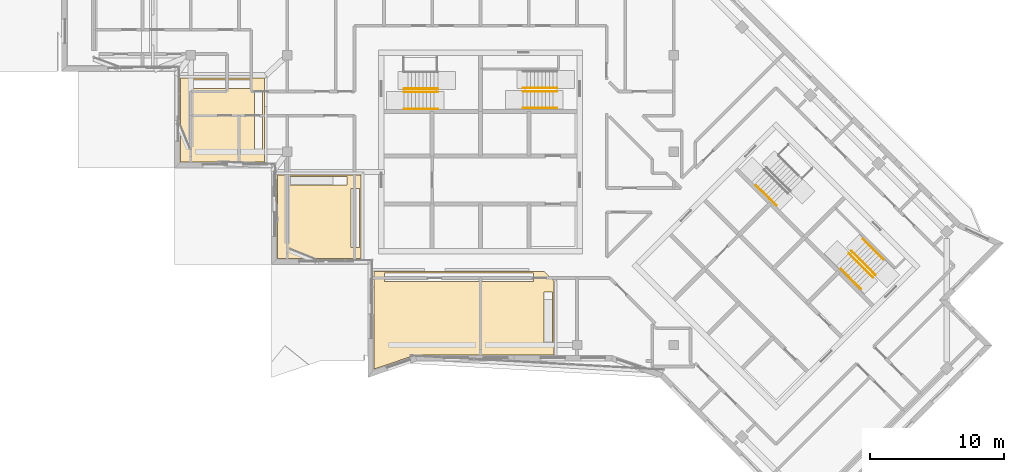
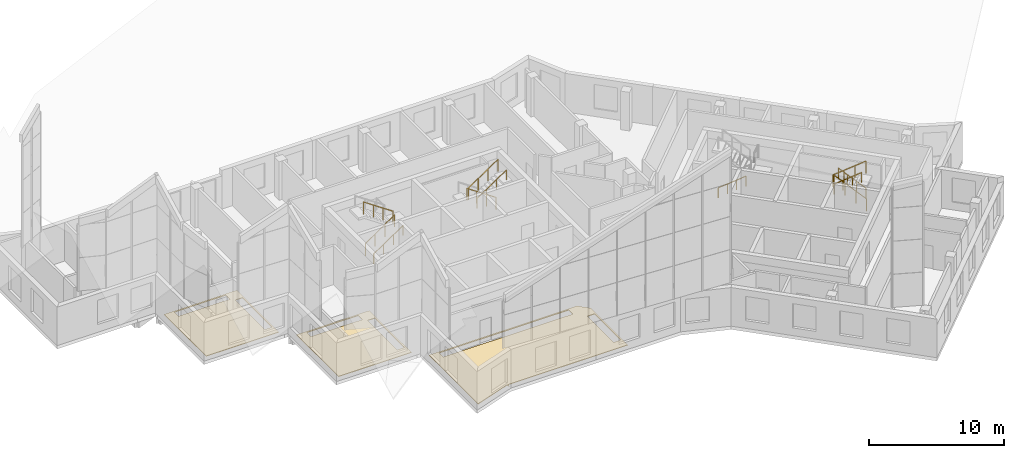
# One storey, part 17 of 20: 11 railings, 3 coverings.
"""IFC4 building model written with IfcOpenShell, lengths in metres."""

from ifc_helpers import new_model, si_unit, direction, frame, origin, origin_2d, place, context, subcontext, project, spatial, polyline, circle, outline, extrude, material, layer, layer_set, type_object, element, save


model = new_model("IFC4")

# Units and contexts
model_context = context("Model", 3, precision=1e-05, world=origin(), true_north=direction((0.0, 1.0)))
body_context = subcontext(model_context, "Body", "Model", "MODEL_VIEW")
ifc_project = project(units=[si_unit("LENGTHUNIT", "METRE"), si_unit("AREAUNIT", "SQUARE_METRE"), si_unit("VOLUMEUNIT", "CUBIC_METRE"), si_unit("PLANEANGLEUNIT", "RADIAN"), si_unit("MASSUNIT", "GRAM", prefix="KILO")], contexts=[model_context])

# Site, building, storey
site_placement = place(None, origin())
site = spatial("IfcSite", under=ifc_project, at=site_placement, CompositionType="ELEMENT")
building_placement = place(site_placement, origin())
building = spatial("IfcBuilding", under=site, at=building_placement, Name="Windrow Commons", CompositionType="ELEMENT")
storey_placement = place(building_placement, frame((0.0, 0.0, 290.6)))
storey = spatial("IfcBuildingStorey", under=building, at=storey_placement, Name="L79", CompositionType="ELEMENT", Elevation=290.6)

# Railings
ifc_material_1 = material(Name="Steel S355", Category="steel")
railing_type_1 = type_object("IfcRailingType", Name="Core stair guard 1100", PredefinedType="GUARDRAIL", material=ifc_material_1)
railing_1_placement = place(storey_placement, frame((59.1, 62.05, 0.19)))
element("IfcRailing", 1, at=railing_1_placement, inside=storey, type_object=railing_type_1, Name="L79 ST-A1 stair guard 1", PredefinedType="GUARDRAIL", context=body_context, shape_type="SweptSolid", body=[
    extrude(circle(Radius=0.024, at=origin_2d()), frame((0.0, 0.0, 1.076), z_axis=(0.8274757744, 0.0, 0.5615014183), x_axis=(0.0, 1.0, 0.0)), (0.0, 0.0, 1.0), 3.0454),
    extrude(circle(Radius=0.021, at=origin_2d()), origin(), (0.0, 0.0, 1.0), 1.052),
    extrude(circle(Radius=0.021, at=origin_2d()), frame((0.84, 0.0, 0.57)), (0.0, 0.0, 1.0), 1.052),
    extrude(circle(Radius=0.021, at=origin_2d()), frame((1.68, 0.0, 1.14)), (0.0, 0.0, 1.0), 1.052),
    extrude(circle(Radius=0.021, at=origin_2d()), frame((2.52, 0.0, 1.71)), (0.0, 0.0, 1.0), 1.052),
])
for number, where, name in (
    (2, (61.62, 62.3, 2.09), "L79 ST-A1 stair guard 2"),
    (3, (70.5, 62.355, 0.19), "L79 ST-A2 stair guard 1"),
):
    element("IfcRailing", number, at=place(storey_placement, frame(where)), inside=storey, type_object=railing_type_1, Name=name, PredefinedType="GUARDRAIL", context=body_context, shape_type="SweptSolid", body=[
        extrude(circle(Radius=0.024, at=origin_2d()), frame((0.0, 0.0, 1.076), z_axis=(-0.8274757744, 0.0, 0.5615014183), x_axis=(0.0, -1.0, 0.0)), (0.0, 0.0, 1.0), 3.0454),
        extrude(circle(Radius=0.021, at=origin_2d()), origin(), (0.0, 0.0, 1.0), 1.052),
        extrude(circle(Radius=0.021, at=origin_2d()), frame((-0.84, 0.0, 0.57)), (0.0, 0.0, 1.0), 1.052),
        extrude(circle(Radius=0.021, at=origin_2d()), frame((-1.68, 0.0, 1.14)), (0.0, 0.0, 1.0), 1.052),
        extrude(circle(Radius=0.021, at=origin_2d()), frame((-2.52, 0.0, 1.71)), (0.0, 0.0, 1.0), 1.052),
    ])
railing_2_placement = place(storey_placement, frame((67.98, 62.105, 2.09)))
element("IfcRailing", 4, at=railing_2_placement, inside=storey, type_object=railing_type_1, Name="L79 ST-A2 stair guard 2", PredefinedType="GUARDRAIL", context=body_context, shape_type="SweptSolid", body=[
    extrude(circle(Radius=0.024, at=origin_2d()), frame((0.0, 0.0, 1.076), z_axis=(0.8274757744, 0.0, 0.5615014183), x_axis=(0.0, 1.0, 0.0)), (0.0, 0.0, 1.0), 3.0454),
    extrude(circle(Radius=0.021, at=origin_2d()), origin(), (0.0, 0.0, 1.0), 1.052),
    extrude(circle(Radius=0.021, at=origin_2d()), frame((0.84, 0.0, 0.57)), (0.0, 0.0, 1.0), 1.052),
    extrude(circle(Radius=0.021, at=origin_2d()), frame((1.68, 0.0, 1.14)), (0.0, 0.0, 1.0), 1.052),
    extrude(circle(Radius=0.021, at=origin_2d()), frame((2.52, 0.0, 1.71)), (0.0, 0.0, 1.0), 1.052),
])
railing_3_placement = place(storey_placement, frame((94.2296, 48.4215, 0.19)))
element("IfcRailing", 5, at=railing_3_placement, inside=storey, type_object=railing_type_1, Name="L79 ST-B2 stair guard 1", PredefinedType="GUARDRAIL", context=body_context, shape_type="SweptSolid", body=[
    extrude(circle(Radius=0.024, at=origin_2d()), frame((0.0, 0.0, 1.076), z_axis=(-0.5851343845, 0.5851015486, 0.5614925911), x_axis=(-0.7070869401, -0.7071266217, 0.0)), (0.0, 0.0, 1.0), 3.0455),
    extrude(circle(Radius=0.021, at=origin_2d()), origin(), (0.0, 0.0, 1.0), 1.052),
    extrude(circle(Radius=0.021, at=origin_2d()), frame((-0.594, 0.594, 0.57)), (0.0, 0.0, 1.0), 1.052),
    extrude(circle(Radius=0.021, at=origin_2d()), frame((-1.188, 1.1879, 1.14)), (0.0, 0.0, 1.0), 1.052),
    extrude(circle(Radius=0.021, at=origin_2d()), frame((-1.782, 1.7819, 1.71)), (0.0, 0.0, 1.0), 1.052),
])
railing_4_placement = place(storey_placement, frame((92.2709, 50.0267, 2.09)))
element("IfcRailing", 6, at=railing_4_placement, inside=storey, type_object=railing_type_1, Name="L79 ST-B2 stair guard 2", PredefinedType="GUARDRAIL", context=body_context, shape_type="SweptSolid", body=[
    extrude(circle(Radius=0.024, at=origin_2d()), frame((0.0, 0.0, 1.076), z_axis=(0.5851015486, -0.5851343845, 0.5614925911), x_axis=(0.7071266217, 0.7070869401, 0.0)), (0.0, 0.0, 1.0), 3.0455),
    extrude(circle(Radius=0.021, at=origin_2d()), origin(), (0.0, 0.0, 1.0), 1.052),
    extrude(circle(Radius=0.021, at=origin_2d()), frame((0.594, -0.594, 0.57)), (0.0, 0.0, 1.0), 1.052),
    extrude(circle(Radius=0.021, at=origin_2d()), frame((1.1879, -1.188, 1.14)), (0.0, 0.0, 1.0), 1.052),
    extrude(circle(Radius=0.021, at=origin_2d()), frame((1.7819, -1.782, 1.71)), (0.0, 0.0, 1.0), 1.052),
])
ifc_material_2 = material(Name="Steel S355", Category="steel")
railing_type_2 = type_object("IfcRailingType", Name="Core stair handrail 900", PredefinedType="HANDRAIL", material=ifc_material_2)
for number, where, name in (
    (7, (59.1, 60.8, 0.19), "L79 ST-A1 stair handrail 1"),
    (8, (67.98, 60.855, 2.09), "L79 ST-A2 stair handrail 2"),
):
    element("IfcRailing", number, at=place(storey_placement, frame(where)), inside=storey, type_object=railing_type_2, Name=name, PredefinedType="HANDRAIL", context=body_context, shape_type="SweptSolid", body=[
        extrude(circle(Radius=0.024, at=origin_2d()), frame((0.0, 0.0, 0.876), z_axis=(0.8274757744, 0.0, 0.5615014183), x_axis=(0.0, 1.0, 0.0)), (0.0, 0.0, 1.0), 3.0454),
        extrude(circle(Radius=0.021, at=origin_2d()), origin(), (0.0, 0.0, 1.0), 0.852),
        extrude(circle(Radius=0.021, at=origin_2d()), frame((0.84, 0.0, 0.57)), (0.0, 0.0, 1.0), 0.852),
        extrude(circle(Radius=0.021, at=origin_2d()), frame((1.68, 0.0, 1.14)), (0.0, 0.0, 1.0), 0.852),
        extrude(circle(Radius=0.021, at=origin_2d()), frame((2.52, 0.0, 1.71)), (0.0, 0.0, 1.0), 0.852),
    ])
railing_5_placement = place(storey_placement, frame((85.3518, 55.1001, 0.4614)))
element("IfcRailing", 9, at=railing_5_placement, inside=storey, type_object=railing_type_2, Name="L79 ST-B1 stair handrail 1", PredefinedType="HANDRAIL", context=body_context, shape_type="SweptSolid", body=[
    extrude(circle(Radius=0.024, at=origin_2d()), frame((0.0, 0.0, 0.876), z_axis=(0.5851275679, -0.5850885359, 0.561513254), x_axis=(0.7070831956, 0.707130366, 0.0)), (0.0, 0.0, 1.0), 2.562),
    extrude(circle(Radius=0.021, at=origin_2d()), origin(), (0.0, 0.0, 1.0), 0.852),
    extrude(circle(Radius=0.021, at=origin_2d()), frame((0.4997, -0.4997, 0.4795)), (0.0, 0.0, 1.0), 0.852),
    extrude(circle(Radius=0.021, at=origin_2d()), frame((0.9994, -0.9993, 0.9591)), (0.0, 0.0, 1.0), 0.852),
    extrude(circle(Radius=0.021, at=origin_2d()), frame((1.4991, -1.499, 1.4386)), (0.0, 0.0, 1.0), 0.852),
])
railing_6_placement = place(storey_placement, frame((94.8306, 49.5883, 0.4614)))
element("IfcRailing", 10, at=railing_6_placement, inside=storey, type_object=railing_type_2, Name="L79 ST-B2 stair handrail 1", PredefinedType="HANDRAIL", context=body_context, shape_type="SweptSolid", body=[
    extrude(circle(Radius=0.024, at=origin_2d()), frame((0.0, 0.0, 0.876), z_axis=(-0.5851275679, 0.5850885359, 0.561513254), x_axis=(-0.7070831956, -0.707130366, 0.0)), (0.0, 0.0, 1.0), 2.562),
    extrude(circle(Radius=0.021, at=origin_2d()), origin(), (0.0, 0.0, 1.0), 0.852),
    extrude(circle(Radius=0.021, at=origin_2d()), frame((-0.4997, 0.4997, 0.4795)), (0.0, 0.0, 1.0), 0.852),
    extrude(circle(Radius=0.021, at=origin_2d()), frame((-0.9994, 0.9993, 0.9591)), (0.0, 0.0, 1.0), 0.852),
    extrude(circle(Radius=0.021, at=origin_2d()), frame((-1.4991, 1.499, 1.4386)), (0.0, 0.0, 1.0), 0.852),
])
railing_7_placement = place(storey_placement, frame((91.6698, 48.8599, 2.3614)))
element("IfcRailing", 11, at=railing_7_placement, inside=storey, type_object=railing_type_2, Name="L79 ST-B2 stair handrail 2", PredefinedType="HANDRAIL", context=body_context, shape_type="SweptSolid", body=[
    extrude(circle(Radius=0.024, at=origin_2d()), frame((0.0, 0.0, 0.876), z_axis=(0.5851275679, -0.5850885359, 0.561513254), x_axis=(0.7070831956, 0.707130366, 0.0)), (0.0, 0.0, 1.0), 2.562),
    extrude(circle(Radius=0.021, at=origin_2d()), origin(), (0.0, 0.0, 1.0), 0.852),
    extrude(circle(Radius=0.021, at=origin_2d()), frame((0.4997, -0.4997, 0.4795)), (0.0, 0.0, 1.0), 0.852),
    extrude(circle(Radius=0.021, at=origin_2d()), frame((0.9994, -0.9993, 0.9591)), (0.0, 0.0, 1.0), 0.852),
    extrude(circle(Radius=0.021, at=origin_2d()), frame((1.4991, -1.499, 1.4386)), (0.0, 0.0, 1.0), 0.852),
])

# Coverings
ifc_material_3 = material(Name="Granite pavers on waterproofing membrane", Category="masonry")
ifc_layer = layer(ifc_material_3, 0.05)
ifc_layer_set = layer_set([ifc_layer], Name="Terrace roofing 50")
covering_type = type_object("IfcCoveringType", Name="Terrace roofing 50", PredefinedType="ROOFING", material=ifc_layer_set)
placement = place(storey_placement, origin())
element("IfcCovering", 12, at=placement, inside=storey, type_object=covering_type, Name="Terrace roofing TR-L79-2", PredefinedType="ROOFING", context=body_context, shape_type="SweptSolid", body=[
    extrude(outline(polyline([(42.45, 63.09), (48.69, 63.09), (48.69, 56.85), (42.45, 56.85), (42.45, 63.09)]), holes=[polyline([(48.56, 62.05), (47.94, 62.05), (47.94, 57.65), (48.56, 57.65), (48.56, 62.05)]), polyline([(47.65, 62.96), (43.25, 62.96), (43.25, 62.34), (47.65, 62.34), (47.65, 62.96)])]), origin(), (0.0, 0.0, 1.0), 0.05),
])
element("IfcCovering", 13, at=placement, inside=storey, type_object=covering_type, Name="Terrace roofing TR-L79-3", PredefinedType="ROOFING", context=body_context, shape_type="SweptSolid", body=[
    extrude(outline(polyline([(49.65, 55.89), (55.89, 55.89), (55.89, 49.65), (49.65, 49.65), (49.65, 55.89)]), holes=[polyline([(55.76, 50.45), (55.76, 54.85), (55.14, 54.85), (55.14, 50.45), (55.76, 50.45)]), polyline([(54.85, 55.76), (50.45, 55.76), (50.45, 55.14), (54.85, 55.14), (54.85, 55.76)])]), origin(), (0.0, 0.0, 1.0), 0.05),
])
element("IfcCovering", 14, at=placement, inside=storey, type_object=covering_type, Name="Terrace roofing TR-L79-4", PredefinedType="ROOFING", context=body_context, shape_type="SweptSolid", body=[
    extrude(outline(polyline([(70.29, 42.45), (67.2944, 42.45), (59.9985, 42.45), (59.9985, 42.2), (59.9181, 42.4367), (56.85, 41.395), (56.85, 48.69), (69.5446, 48.69), (70.29, 47.9446), (70.29, 42.45)]), holes=[polyline([(70.16, 47.1624), (69.54, 47.1624), (69.54, 43.25), (70.16, 43.25), (70.16, 47.1624)]), polyline([(68.7624, 48.56), (57.65, 48.56), (57.65, 47.94), (68.7624, 47.94), (68.7624, 48.56)])]), origin(), (0.0, 0.0, 1.0), 0.05),
])

save(model, "model.ifc")
